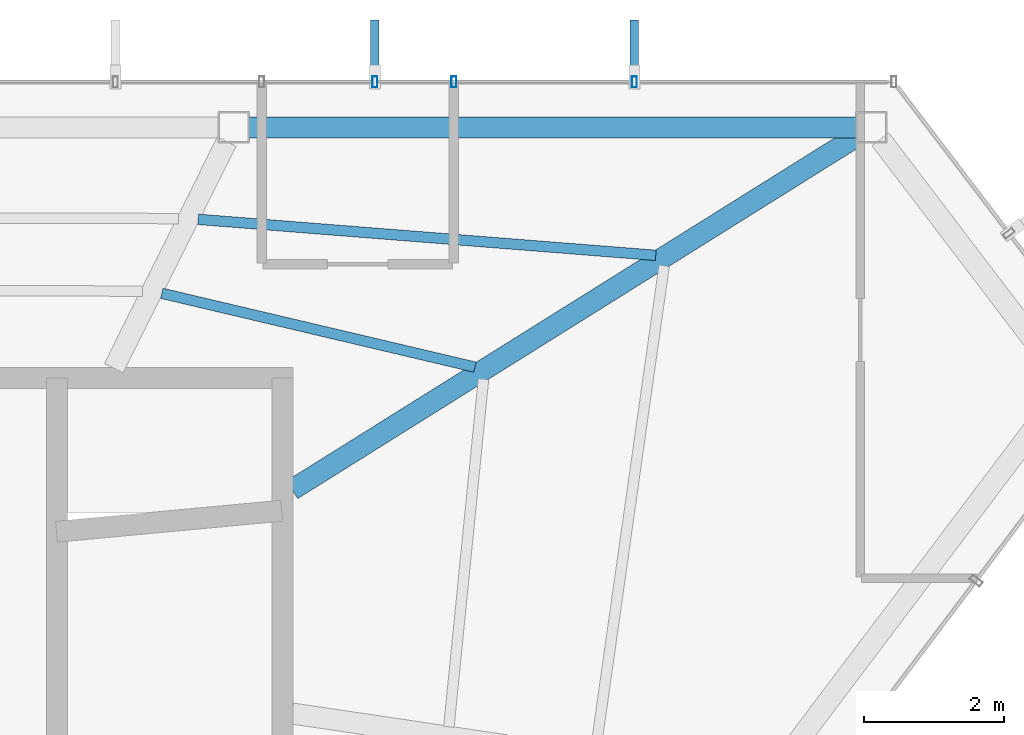
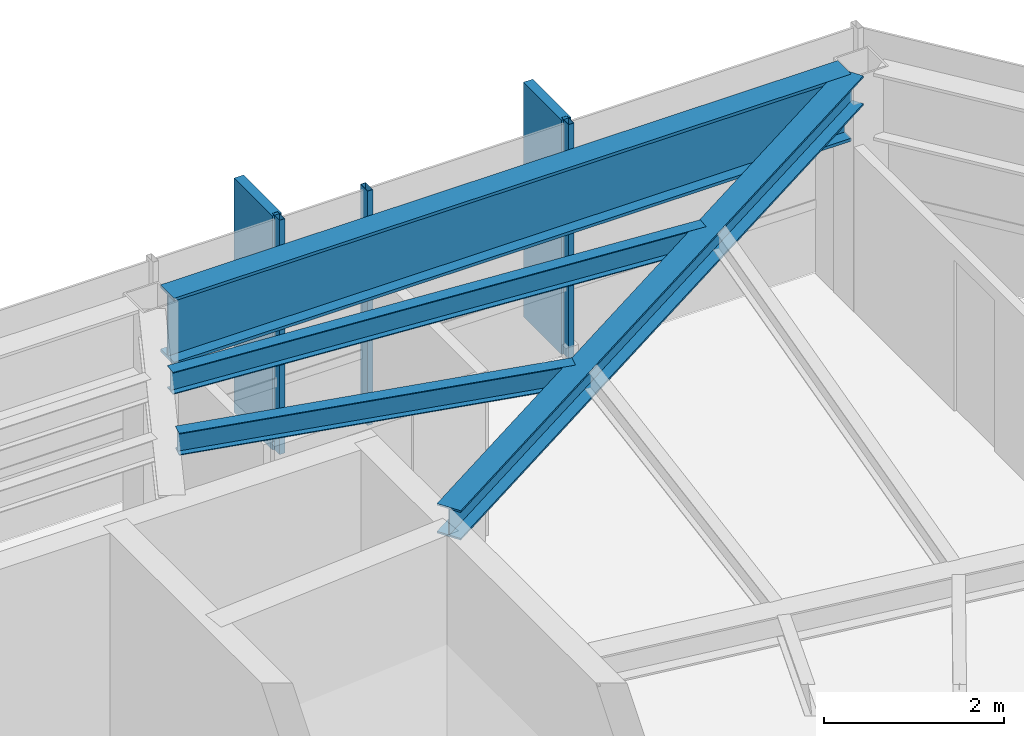
# One storey, part 18 of 23: 5 members, 4 beams, 1 element without a shape of its own.
"""IFC4 building model written with IfcOpenShell, lengths in metres."""

from ifc_helpers import new_model, si_unit, direction, frame, origin, origin_2d, place, context, subcontext, project, spatial, rectangle, hollow_rectangle, i_section, extrude, material, layer, layer_set, material_profile, profile_set, type_object, element, aggregate, save


model = new_model("IFC4")

# Units and contexts
model_context = context("Model", 3, precision=1e-05, world=origin(), true_north=direction((0.0, 1.0)))
body_context = subcontext(model_context, "Body", "Model", "MODEL_VIEW")
ifc_project = project(units=[si_unit("LENGTHUNIT", "METRE"), si_unit("AREAUNIT", "SQUARE_METRE"), si_unit("VOLUMEUNIT", "CUBIC_METRE"), si_unit("PLANEANGLEUNIT", "RADIAN"), si_unit("MASSUNIT", "GRAM", prefix="KILO")], contexts=[model_context])

# Site, building, storey
site_placement = place(None, origin())
site = spatial("IfcSite", under=ifc_project, at=site_placement, CompositionType="ELEMENT")
building_placement = place(site_placement, origin())
building = spatial("IfcBuilding", under=site, at=building_placement, Name="Zarrinselat Tower", CompositionType="ELEMENT")
storey_placement = place(building_placement, frame((0.0, 0.0, 282.199951171875)))
storey = spatial("IfcBuildingStorey", under=building, at=storey_placement, Name="L72", CompositionType="ELEMENT", Elevation=282.199951171875)

# Beams
ifc_material_1 = material(Name="Steel S355J2", Category="steel")
ifc_material_profile_1 = material_profile(ifc_material_1, i_section(OverallWidth=0.300048828125, OverallDepth=0.39990234375, WebThickness=0.013427734375, FlangeThickness=0.02392578125, at=origin_2d()), Name="HEB 400")
ifc_profile_set_1 = profile_set([ifc_material_profile_1], Name="Steel S355J2")
beam_type_1 = type_object("IfcBeamType", Name="BM-HEB400", PredefinedType="BEAM", material=ifc_profile_set_1)
beam_1_placement = place(storey_placement, frame((48.35009765625, 41.800048828125, 2.97998046875), z_axis=(0.847716518393, 0.530449530534, 0.0), x_axis=(-0.530449530534, 0.847716518393, 0.0)))
element("IfcBeam", 1, at=beam_1_placement, inside=storey, type_object=beam_type_1, Name="L72 Radial Primary Girder RG01", PredefinedType="BEAM", context=body_context, shape_type="SweptSolid", body=[
    extrude(i_section(OverallWidth=0.300048828125, OverallDepth=0.39990234375, WebThickness=0.013427734375, FlangeThickness=0.02392578125, at=origin_2d()), origin(), (0.0, 0.0, 1.0), 9.544189453125),
])
ifc_material_2 = material(Name="Steel S460M", Category="steel")
ifc_material_profile_2 = material_profile(ifc_material_2, i_section(OverallWidth=0.302001953125, OverallDepth=0.909912109375, WebThickness=0.02099609375, FlangeThickness=0.0400390625, at=origin_2d()), Name="HEM 900")
ifc_profile_set_2 = profile_set([ifc_material_profile_2], Name="Steel S460M")
beam_type_2 = type_object("IfcBeamType", Name="BM-HEM900", PredefinedType="BEAM", material=ifc_profile_set_2)
beam_2_placement = place(storey_placement, frame((47.729736328125, 46.9833984375, 2.72509765625), z_axis=(1.0, 0.0, 0.0), x_axis=(0.0, 1.0, 0.0)))
element("IfcBeam", 2, at=beam_2_placement, inside=storey, type_object=beam_type_2, Name="L72 Perimeter Spandrel Girder SP01", PredefinedType="BEAM", context=body_context, shape_type="SweptSolid", body=[
    extrude(i_section(OverallWidth=0.302001953125, OverallDepth=0.909912109375, WebThickness=0.02099609375, FlangeThickness=0.0400390625, at=origin_2d()), origin(), (0.0, 0.0, 1.0), 8.690673828125),
])
ifc_material_3 = material(Name="Steel S355J2", Category="steel")
ifc_material_profile_3 = material_profile(ifc_material_3, i_section(OverallWidth=0.14990234375, OverallDepth=0.300048828125, WebThickness=0.007080078125, FlangeThickness=0.0107421875, at=origin_2d()), Name="IPE 300")
ifc_profile_set_3 = profile_set([ifc_material_profile_3], Name="Steel S355J2")
beam_type_3 = type_object("IfcBeamType", Name="BM-IPE300", PredefinedType="JOIST", material=ifc_profile_set_3)
beam_3_placement = place(storey_placement, frame((47.005615234375, 45.66748046875, 3.030029296875), z_axis=(0.996919534301, -0.078431129848, 0.0), x_axis=(0.078431129848, 0.996919534301, 0.0)))
element("IfcBeam", 3, at=beam_3_placement, inside=storey, type_object=beam_type_3, Name="L72 Composite Floor Joist 6-1", PredefinedType="JOIST", context=body_context, shape_type="SweptSolid", body=[
    extrude(i_section(OverallWidth=0.14990234375, OverallDepth=0.300048828125, WebThickness=0.007080078125, FlangeThickness=0.0107421875, at=origin_2d()), origin(), (0.0, 0.0, 1.0), 6.56494140625),
])
beam_4_placement = place(storey_placement, frame((46.485595703125, 44.609619140625, 3.030029296875), z_axis=(0.973307123798, -0.229506520089, 0.0), x_axis=(0.229506520089, 0.973307123798, 0.0)))
element("IfcBeam", 4, at=beam_4_placement, inside=storey, type_object=beam_type_3, Name="L72 Composite Floor Joist 6-2", PredefinedType="JOIST", context=body_context, shape_type="SweptSolid", body=[
    extrude(i_section(OverallWidth=0.14990234375, OverallDepth=0.300048828125, WebThickness=0.007080078125, FlangeThickness=0.0107421875, at=origin_2d()), origin(), (0.0, 0.0, 1.0), 4.601806640625),
])

# Curtain wall, members
ifc_material_4 = material(Name="Extruded Aluminium Alloy EN AW-6063 T6", Category="aluminium")
ifc_layer = layer(ifc_material_4, 0.169921875)
ifc_layer_set = layer_set([ifc_layer], Name="Extruded Aluminium Alloy EN AW-6063 T6")
curtain_wall_type = type_object("IfcCurtainWallType", Name="CWS-RES", PredefinedType="NOTDEFINED", material=ifc_layer_set)
curtain_wall_placement = place(storey_placement, origin())
curtain_wall = element("IfcCurtainWall", 5, at=curtain_wall_placement, inside=storey, type_object=curtain_wall_type, Name="L72 Unitised Curtain Wall CW-L72-E01", PredefinedType="NOTDEFINED")
ifc_material_5 = material(Name="Extruded Aluminium Alloy EN AW-6063 T6", Category="aluminium")
ifc_material_profile_4 = material_profile(ifc_material_5, hollow_rectangle(XDim=0.070068359375, YDim=0.159912109375, WallThickness=0.00390625, at=origin_2d()), Name="RHS 160x70x4")
ifc_profile_set_4 = profile_set([ifc_material_profile_4], Name="Extruded Aluminium Alloy EN AW-6063 T6")
member_type_1 = type_object("IfcMemberType", Name="MEM-CW-MUL2", PredefinedType="MULLION", material=ifc_profile_set_4)
member_1_placement = place(storey_placement, frame((53.244140625, 47.63330078125, 0.0), z_axis=(0.0, 0.0, 1.0), x_axis=(-1.0, 0.0, 0.0)))
member_1 = element("IfcMember", 6, at=member_1_placement, type_object=member_type_1, Name="CW-L72-E01 Mullion 1", PredefinedType="MULLION", context=body_context, shape_type="SweptSolid", body=[
    extrude(hollow_rectangle(XDim=0.070068359375, YDim=0.159912109375, WallThickness=0.00390625, at=origin_2d()), origin(), (0.0, 0.0, 1.0), 3.179931640625),
])
member_2_placement = place(storey_placement, frame((50.66259765625, 47.63330078125, 0.0), z_axis=(0.0, 0.0, 1.0), x_axis=(-1.0, 0.0, 0.0)))
member_2 = element("IfcMember", 7, at=member_2_placement, type_object=member_type_1, Name="CW-L72-E01 Mullion 2", PredefinedType="MULLION", context=body_context, shape_type="SweptSolid", body=[
    extrude(hollow_rectangle(XDim=0.070068359375, YDim=0.159912109375, WallThickness=0.00390625, at=origin_2d()), origin(), (0.0, 0.0, 1.0), 3.179931640625),
])
member_3_placement = place(storey_placement, frame((49.532958984375, 47.63330078125, 0.0), z_axis=(0.0, 0.0, 1.0), x_axis=(-1.0, 0.0, 0.0)))
member_3 = element("IfcMember", 8, at=member_3_placement, type_object=member_type_1, Name="CW-L72-E01 Mullion 3", PredefinedType="MULLION", context=body_context, shape_type="SweptSolid", body=[
    extrude(hollow_rectangle(XDim=0.070068359375, YDim=0.159912109375, WallThickness=0.00390625, at=origin_2d()), origin(), (0.0, 0.0, 1.0), 3.179931640625),
])
ifc_material_6 = material(Name="Honed Cream Travertine Stone", Category="masonry")
ifc_material_profile_5 = material_profile(ifc_material_6, rectangle(XDim=0.1201171875, YDim=0.85009765625, at=origin_2d()), Name="FIN 850x120")
ifc_profile_set_5 = profile_set([ifc_material_profile_5], Name="Honed Cream Travertine Stone")
member_type_2 = type_object("IfcMemberType", Name="MEM-STONE-FIN", PredefinedType="USERDEFINED", material=ifc_profile_set_5)
member_4_placement = place(storey_placement, frame((53.244140625, 48.09326171875, 0.0), z_axis=(0.0, 0.0, 1.0), x_axis=(1.0, 0.0, 0.0)))
member_4 = element("IfcMember", 9, at=member_4_placement, type_object=member_type_2, Name="L72 Stone Shading Fin CW-L72-E01-01", ObjectType="FIN", PredefinedType="USERDEFINED", context=body_context, shape_type="SweptSolid", body=[
    extrude(rectangle(XDim=0.1201171875, YDim=0.85009765625, at=origin_2d()), origin(), (0.0, 0.0, 1.0), 3.179931640625),
])
member_5_placement = place(storey_placement, frame((49.532958984375, 48.09326171875, 0.0), z_axis=(0.0, 0.0, 1.0), x_axis=(1.0, 0.0, 0.0)))
member_5 = element("IfcMember", 10, at=member_5_placement, type_object=member_type_2, Name="L72 Stone Shading Fin CW-L72-E01-03", ObjectType="FIN", PredefinedType="USERDEFINED", context=body_context, shape_type="SweptSolid", body=[
    extrude(rectangle(XDim=0.1201171875, YDim=0.85009765625, at=origin_2d()), origin(), (0.0, 0.0, 1.0), 3.179931640625),
])
aggregate(curtain_wall, [member_1, member_4, member_2, member_3, member_5])

save(model, "model.ifc")
